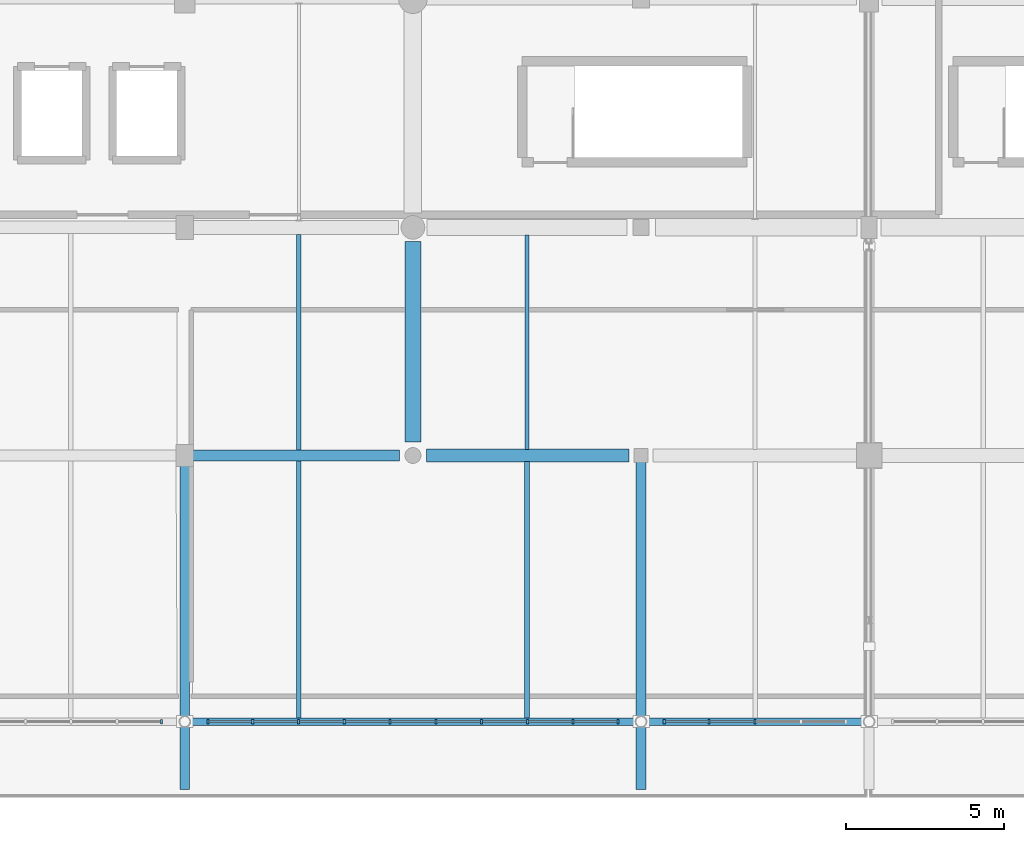
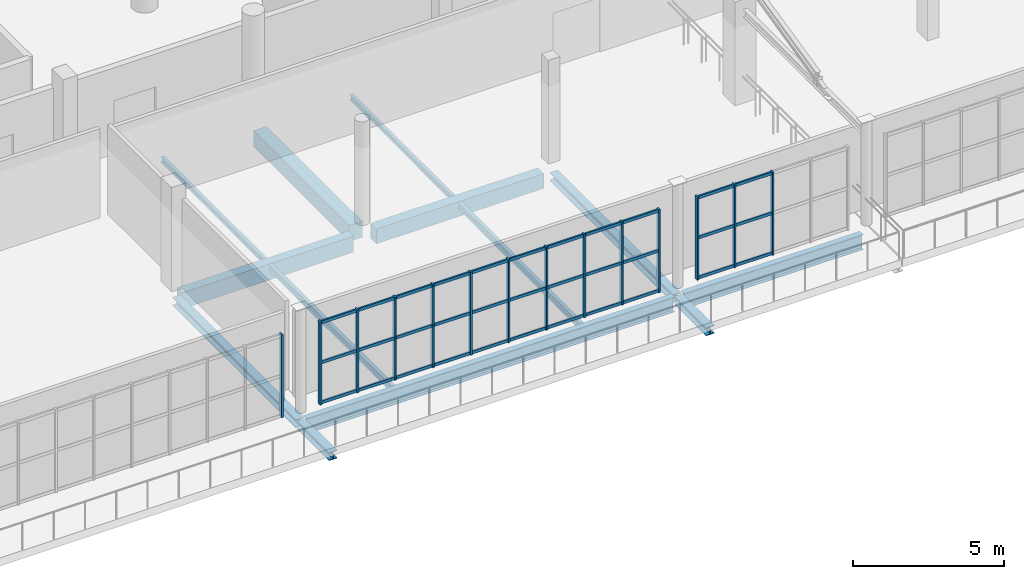
# One storey, part 7 of 41: 47 members, 13 beams, 3 elements without a shape of their own.
"""IFC4 building model written with IfcOpenShell, lengths in metres."""

import ifcopenshell
import ifcopenshell.guid

model = None  # the IFC model being written
_history = None  # IfcOwnerHistory: only IFC2X3 demands one
_inside = {}  # id of a spatial element -> (the spatial element, [elements in it])
_under = {}  # id of a project, library or spatial element -> (it, [spatial elements below it])
_declared = {}  # id of a project -> (the project, [libraries it declares])
_typed = {}  # id of a type object -> (the type object, [elements of that type])
_made_of = {}  # id of a material, layer set ... -> (it, [elements and type objects made of it])


def new_model(schema):
    """Start an empty IFC model of exactly this schema.

    Asked for "IFC4X3", IfcOpenShell would pick the latest addendum, in which some entities
    have other attributes; the version numbers below select the first issue.
    IFC2X3 requires an IfcOwnerHistory on every rooted entity: one is made here for all.
    """
    global model, _history
    if schema == "IFC4X3":
        model = ifcopenshell.file(schema_version=(4, 3, 0, 0))
    else:
        model = ifcopenshell.file(schema=schema)
    _inside.clear()
    _under.clear()
    _declared.clear()
    _typed.clear()
    _made_of.clear()
    _history = None
    if model.schema == "IFC2X3":
        org = make("IfcOrganization", Name="unknown")
        user = make(
            "IfcPersonAndOrganization",
            ThePerson=make("IfcPerson", FamilyName="unknown"),
            TheOrganization=org,
        )
        app = make(
            "IfcApplication",
            ApplicationDeveloper=org,
            Version="unknown",
            ApplicationFullName="unknown",
            ApplicationIdentifier="unknown",
        )
        _history = make(
            "IfcOwnerHistory",
            OwningUser=user,
            OwningApplication=app,
            ChangeAction="ADDED",
            CreationDate=0,
        )
    return model


def make(cls, **values):
    """One entity of the class cls with the attributes given. An attribute that is None is left unset."""
    return model.create_entity(
        cls, **{name: value for name, value in values.items() if value is not None}
    )


def rooted(cls, **values):
    """An entity with a GlobalId (a new one), such as an element, a storey or a relation."""
    return make(cls, GlobalId=ifcopenshell.guid.new(), OwnerHistory=_history, **values)


def si_unit(unit_type, name, prefix=None):
    """IfcSIUnit, for example si_unit("LENGTHUNIT", "METRE", prefix="MILLI")."""
    return make("IfcSIUnit", UnitType=unit_type, Prefix=prefix, Name=name)


def assignment(units):
    """IfcUnitAssignment: the units of a project."""
    return None if units is None else make("IfcUnitAssignment", Units=units)


def point(xyz):
    """IfcCartesianPoint."""
    return None if xyz is None else make("IfcCartesianPoint", Coordinates=xyz)


def direction(xyz):
    """IfcDirection."""
    return None if xyz is None else make("IfcDirection", DirectionRatios=xyz)


def frame(location, z_axis=None, x_axis=None):
    """IfcAxis2Placement3D, a coordinate frame: its origin and axes. An axis left out is left unset."""
    return make(
        "IfcAxis2Placement3D",
        Location=point(location),
        Axis=direction(z_axis),
        RefDirection=direction(x_axis),
    )


def frame_2d(location, x_axis=None):
    """IfcAxis2Placement2D, a coordinate frame in the plane: its origin and x axis."""
    return make(
        "IfcAxis2Placement2D", Location=point(location), RefDirection=direction(x_axis)
    )


def origin():
    """The frame at (0, 0, 0) with its axes left unset."""
    return frame((0.0, 0.0, 0.0))


def origin_2d():
    """The frame at (0, 0) in the plane with its x axis left unset."""
    return frame_2d((0.0, 0.0))


def place(relative_to, where):
    """IfcLocalPlacement: puts the frame where relative to a parent placement (None: the world)."""
    return make(
        "IfcLocalPlacement", PlacementRelTo=relative_to, RelativePlacement=where
    )


def context(
    kind, dimensions, precision=None, world=None, true_north=None, identifier=None
):
    """IfcGeometricRepresentationContext, for example the 3D "Model" context."""
    return make(
        "IfcGeometricRepresentationContext",
        ContextIdentifier=identifier,
        ContextType=kind,
        CoordinateSpaceDimension=dimensions,
        Precision=precision,
        WorldCoordinateSystem=world,
        TrueNorth=true_north,
    )


def subcontext(parent, identifier, kind, view, scale=None):
    """IfcGeometricRepresentationSubContext, for example "Body" below "Model"."""
    return make(
        "IfcGeometricRepresentationSubContext",
        ContextIdentifier=identifier,
        ContextType=kind,
        ParentContext=parent,
        TargetScale=scale,
        TargetView=view,
    )


def project(units=None, contexts=None):
    """IfcProject with its units and contexts."""
    return rooted(
        "IfcProject",
        Name="project",
        RepresentationContexts=contexts,
        UnitsInContext=assignment(units),
    )


def spatial(cls, under=None, at=None, **own):
    """A site, building, storey or space (cls), placed at a placement, below another one or the project."""
    s = rooted(cls, ObjectPlacement=at, **own)
    if under is not None:
        _under.setdefault(under.id(), (under, []))[1].append(s)
    return s


def profile(cls, at=None, kind="AREA", **sizes):
    """A parametric profile (cls). Its sizes go by their IFC names, for example OverallWidth=200.0."""
    return make(cls, ProfileType=kind, Position=at, **sizes)


def rectangle(**sizes):
    """IfcRectangleProfileDef."""
    return profile("IfcRectangleProfileDef", **sizes)


def i_section(**sizes):
    """IfcIShapeProfileDef."""
    return profile("IfcIShapeProfileDef", **sizes)


def extrude(swept, where, along, depth):
    """IfcExtrudedAreaSolid: the profile swept, set in the frame where, extruded along a direction by depth."""
    return make(
        "IfcExtrudedAreaSolid",
        SweptArea=swept,
        Position=where,
        ExtrudedDirection=direction(along),
        Depth=depth,
    )


def shape(context_of_items, identifier, shape_type, items):
    """IfcShapeRepresentation: the items that make up one representation, for example the "Body"."""
    return make(
        "IfcShapeRepresentation",
        ContextOfItems=context_of_items,
        RepresentationIdentifier=identifier,
        RepresentationType=shape_type,
        Items=items,
    )


def material(Name=None, Category=None):
    """IfcMaterial."""
    return make("IfcMaterial", Name=Name, Category=Category)


def material_profile(
    of_material, cross_section, Name=None, Category=None, Priority=None
):
    """IfcMaterialProfile: a cross section and its material."""
    return make(
        "IfcMaterialProfile",
        Name=Name,
        Material=of_material,
        Profile=cross_section,
        Priority=Priority,
        Category=Category,
    )


def profile_set(profiles, Name=None, composite=None):
    """IfcMaterialProfileSet."""
    return make(
        "IfcMaterialProfileSet",
        Name=Name,
        MaterialProfiles=profiles,
        CompositeProfile=composite,
    )


def made_of(thing, what):
    """Note that an element or type object is made of a material, layer set ...; save() writes the relation."""
    if what is not None:
        _made_of.setdefault(what.id(), (what, []))[1].append(thing)
    return thing


def type_object(cls, material=None, **own):
    """A type object (cls), such as IfcWallType, which elements share."""
    return made_of(rooted(cls, **own), material)


def element(
    cls,
    number,
    at=None,
    inside=None,
    cuts=None,
    type_object=None,
    material=None,
    context=None,
    identifier="Body",
    shape_type=None,
    held_by="IfcProductDefinitionShape",
    body=None,
    shapes=None,
    **own,
):
    """One element of the class cls, such as IfcWall. Its Tag is "e" and its number.

    at: its placement. inside: the storey or other place that contains it. cuts: it is an
    opening in that element (IfcRelVoidsElement). A single representation is given by context,
    identifier, shape_type and body (its items); several are given by shapes. held_by: the class
    of the entity that holds the representations. save() writes the other relations.
    """
    e = rooted(cls, Tag="e%d" % number, ObjectPlacement=at, **own)
    if body is not None:
        shapes = [shape(context, identifier, shape_type, body)]
    if shapes is not None:
        e.Representation = make(held_by, Representations=shapes)
    if inside is not None:
        _inside.setdefault(inside.id(), (inside, []))[1].append(e)
    if cuts is not None:
        rooted(
            "IfcRelVoidsElement", RelatingBuildingElement=cuts, RelatedOpeningElement=e
        )
    if type_object is not None:
        _typed.setdefault(type_object.id(), (type_object, []))[1].append(e)
    return made_of(e, material)


def aggregate(whole, parts):
    """IfcRelAggregates: a whole, such as a stair, and the parts it consists of."""
    return rooted("IfcRelAggregates", RelatingObject=whole, RelatedObjects=parts)


def save(model, path):
    """Write the relations noted so far, then the file.

    IfcRelAggregates (storeys below a building ...), IfcRelContainedInSpatialStructure (elements
    in a storey), IfcRelDefinesByType, IfcRelAssociatesMaterial and IfcRelDeclares: one each for
    every whole, place, type object, material and project.
    """
    for whole, parts in _under.values():
        aggregate(whole, parts)
    for where, things in _inside.values():
        rooted(
            "IfcRelContainedInSpatialStructure",
            RelatedElements=things,
            RelatingStructure=where,
        )
    for kind, things in _typed.values():
        rooted("IfcRelDefinesByType", RelatedObjects=things, RelatingType=kind)
    for what, things in _made_of.values():
        rooted("IfcRelAssociatesMaterial", RelatedObjects=things, RelatingMaterial=what)
    for by, libraries in _declared.values():
        rooted("IfcRelDeclares", RelatingContext=by, RelatedDefinitions=libraries)
    model.write(path)


model = new_model("IFC4")

# Units and contexts
model_context = context("Model", 3, precision=1e-05, world=origin(), true_north=direction((0.0, 1.0)))
body_context = subcontext(model_context, "Body", "Model", "MODEL_VIEW")
ifc_project = project(units=[si_unit("LENGTHUNIT", "METRE"), si_unit("AREAUNIT", "SQUARE_METRE"), si_unit("VOLUMEUNIT", "CUBIC_METRE"), si_unit("PLANEANGLEUNIT", "RADIAN"), si_unit("MASSUNIT", "GRAM", prefix="KILO")], contexts=[model_context])

# Site, building, storey
site_placement = place(None, origin())
site = spatial("IfcSite", under=ifc_project, at=site_placement, CompositionType="ELEMENT")
building_placement = place(site_placement, origin())
building = spatial("IfcBuilding", under=site, at=building_placement, Name="Solanera Park Tramway Depot", CompositionType="ELEMENT")
storey_placement = place(building_placement, frame((0.0, 0.0, 13.199951171875)))
storey = spatial("IfcBuildingStorey", under=building, at=storey_placement, Name="L03", CompositionType="ELEMENT", Elevation=13.199951171875)

# Curtain wall, member
ifc_material_1 = material(Name="Bronze-anodised thermally broken aluminium curtain wall", Category="aluminium")
curtain_wall_type = type_object("IfcCurtainWallType", Name="Cantilevered OCC Inclined Glazing Wall", PredefinedType="NOTDEFINED", material=ifc_material_1)
curtain_wall_1_placement = place(storey_placement, origin())
curtain_wall_1 = element("IfcCurtainWall", 1, at=curtain_wall_1_placement, inside=storey, type_object=curtain_wall_type, Name="L03 Cantilevered OCC Inclined Glazing Wall #121", PredefinedType="NOTDEFINED")
ifc_material_2 = material(Name="Bronze-anodised structural aluminium 6063-T6", Category="aluminium")
ifc_material_profile_1 = material_profile(ifc_material_2, rectangle(XDim=0.06494140625, YDim=0.14990234375, at=origin_2d()), Name="Curtain Wall Mullion 65x150")
ifc_profile_set_1 = profile_set([ifc_material_profile_1], Name="Bronze-anodised structural aluminium 6063-T6")
member_type_1 = type_object("IfcMemberType", Name="Curtain Wall Mullion 65x150", PredefinedType="MULLION", material=ifc_profile_set_1)
member_1_placement = place(storey_placement, frame((128.867431640625, 2.39990234375, 0.0), z_axis=(0.0, 0.0, 1.0), x_axis=(1.0, 0.0, 0.0)))
member_1 = element("IfcMember", 2, at=member_1_placement, type_object=member_type_1, Name="CW-L03-121 Mullion 10", PredefinedType="MULLION", context=body_context, shape_type="SweptSolid", body=[
    extrude(rectangle(XDim=0.06494140625, YDim=0.14990234375, at=origin_2d()), origin(), (0.0, 0.0, 1.0), 3.35009765625),
])
aggregate(curtain_wall_1, [member_1])

# Curtain wall, members
curtain_wall_2_placement = place(storey_placement, origin())
curtain_wall_2 = element("IfcCurtainWall", 3, at=curtain_wall_2_placement, inside=storey, type_object=curtain_wall_type, Name="L03 Cantilevered OCC Inclined Glazing Wall #122", PredefinedType="NOTDEFINED")
member_2_placement = place(storey_placement, frame((130.33251953125, 2.39990234375, 0.0), z_axis=(0.0, 0.0, 1.0), x_axis=(1.0, 0.0, 0.0)))
member_2 = element("IfcMember", 4, at=member_2_placement, type_object=member_type_1, Name="CW-L03-122 Mullion 1", PredefinedType="MULLION", context=body_context, shape_type="SweptSolid", body=[
    extrude(rectangle(XDim=0.06494140625, YDim=0.14990234375, at=origin_2d()), origin(), (0.0, 0.0, 1.0), 3.35009765625),
])
member_3_placement = place(storey_placement, frame((131.744384765625, 2.39990234375, 0.0), z_axis=(0.0, 0.0, 1.0), x_axis=(1.0, 0.0, 0.0)))
member_3 = element("IfcMember", 5, at=member_3_placement, type_object=member_type_1, Name="CW-L03-122 Mullion 2", PredefinedType="MULLION", context=body_context, shape_type="SweptSolid", body=[
    extrude(rectangle(XDim=0.06494140625, YDim=0.14990234375, at=origin_2d()), origin(), (0.0, 0.0, 1.0), 3.35009765625),
])
member_4_placement = place(storey_placement, frame((133.18896484375, 2.39990234375, 0.0), z_axis=(0.0, 0.0, 1.0), x_axis=(1.0, 0.0, 0.0)))
member_4 = element("IfcMember", 6, at=member_4_placement, type_object=member_type_1, Name="CW-L03-122 Mullion 3", PredefinedType="MULLION", context=body_context, shape_type="SweptSolid", body=[
    extrude(rectangle(XDim=0.06494140625, YDim=0.14990234375, at=origin_2d()), origin(), (0.0, 0.0, 1.0), 3.35009765625),
])
member_5_placement = place(storey_placement, frame((134.63330078125, 2.39990234375, 0.0), z_axis=(0.0, 0.0, 1.0), x_axis=(1.0, 0.0, 0.0)))
member_5 = element("IfcMember", 7, at=member_5_placement, type_object=member_type_1, Name="CW-L03-122 Mullion 4", PredefinedType="MULLION", context=body_context, shape_type="SweptSolid", body=[
    extrude(rectangle(XDim=0.06494140625, YDim=0.14990234375, at=origin_2d()), origin(), (0.0, 0.0, 1.0), 3.35009765625),
])
member_6_placement = place(storey_placement, frame((136.077880859375, 2.39990234375, 0.0), z_axis=(0.0, 0.0, 1.0), x_axis=(1.0, 0.0, 0.0)))
member_6 = element("IfcMember", 8, at=member_6_placement, type_object=member_type_1, Name="CW-L03-122 Mullion 5", PredefinedType="MULLION", context=body_context, shape_type="SweptSolid", body=[
    extrude(rectangle(XDim=0.06494140625, YDim=0.14990234375, at=origin_2d()), origin(), (0.0, 0.0, 1.0), 3.35009765625),
])
member_7_placement = place(storey_placement, frame((137.522216796875, 2.39990234375, 0.0), z_axis=(0.0, 0.0, 1.0), x_axis=(1.0, 0.0, 0.0)))
member_7 = element("IfcMember", 9, at=member_7_placement, type_object=member_type_1, Name="CW-L03-122 Mullion 6", PredefinedType="MULLION", context=body_context, shape_type="SweptSolid", body=[
    extrude(rectangle(XDim=0.06494140625, YDim=0.14990234375, at=origin_2d()), origin(), (0.0, 0.0, 1.0), 3.35009765625),
])
member_8_placement = place(storey_placement, frame((138.966796875, 2.39990234375, 0.0), z_axis=(0.0, 0.0, 1.0), x_axis=(1.0, 0.0, 0.0)))
member_8 = element("IfcMember", 10, at=member_8_placement, type_object=member_type_1, Name="CW-L03-122 Mullion 7", PredefinedType="MULLION", context=body_context, shape_type="SweptSolid", body=[
    extrude(rectangle(XDim=0.06494140625, YDim=0.14990234375, at=origin_2d()), origin(), (0.0, 0.0, 1.0), 3.35009765625),
])
member_9_placement = place(storey_placement, frame((140.4111328125, 2.39990234375, 0.0), z_axis=(0.0, 0.0, 1.0), x_axis=(1.0, 0.0, 0.0)))
member_9 = element("IfcMember", 11, at=member_9_placement, type_object=member_type_1, Name="CW-L03-122 Mullion 8", PredefinedType="MULLION", context=body_context, shape_type="SweptSolid", body=[
    extrude(rectangle(XDim=0.06494140625, YDim=0.14990234375, at=origin_2d()), origin(), (0.0, 0.0, 1.0), 3.35009765625),
])
member_10_placement = place(storey_placement, frame((141.855712890625, 2.39990234375, 0.0), z_axis=(0.0, 0.0, 1.0), x_axis=(1.0, 0.0, 0.0)))
member_10 = element("IfcMember", 12, at=member_10_placement, type_object=member_type_1, Name="CW-L03-122 Mullion 9", PredefinedType="MULLION", context=body_context, shape_type="SweptSolid", body=[
    extrude(rectangle(XDim=0.06494140625, YDim=0.14990234375, at=origin_2d()), origin(), (0.0, 0.0, 1.0), 3.35009765625),
])
member_11_placement = place(storey_placement, frame((143.267578125, 2.39990234375, 0.0), z_axis=(0.0, 0.0, 1.0), x_axis=(1.0, 0.0, 0.0)))
member_11 = element("IfcMember", 13, at=member_11_placement, type_object=member_type_1, Name="CW-L03-122 Mullion 10", PredefinedType="MULLION", context=body_context, shape_type="SweptSolid", body=[
    extrude(rectangle(XDim=0.06494140625, YDim=0.14990234375, at=origin_2d()), origin(), (0.0, 0.0, 1.0), 3.35009765625),
])

curtain_wall_3_placement = place(storey_placement, origin())
curtain_wall_3 = element("IfcCurtainWall", 14, at=curtain_wall_3_placement, inside=storey, type_object=curtain_wall_type, Name="L03 Cantilevered OCC Inclined Glazing Wall #123", PredefinedType="NOTDEFINED")
member_12_placement = place(storey_placement, frame((144.732421875, 2.39990234375, 0.0), z_axis=(0.0, 0.0, 1.0), x_axis=(1.0, 0.0, 0.0)))
member_12 = element("IfcMember", 15, at=member_12_placement, type_object=member_type_1, Name="CW-L03-123 Mullion 1", PredefinedType="MULLION", context=body_context, shape_type="SweptSolid", body=[
    extrude(rectangle(XDim=0.06494140625, YDim=0.14990234375, at=origin_2d()), origin(), (0.0, 0.0, 1.0), 3.35009765625),
])
member_13_placement = place(storey_placement, frame((146.14990234375, 2.39990234375, 0.0), z_axis=(0.0, 0.0, 1.0), x_axis=(1.0, 0.0, 0.0)))
member_13 = element("IfcMember", 16, at=member_13_placement, type_object=member_type_1, Name="CW-L03-123 Mullion 2", PredefinedType="MULLION", context=body_context, shape_type="SweptSolid", body=[
    extrude(rectangle(XDim=0.06494140625, YDim=0.14990234375, at=origin_2d()), origin(), (0.0, 0.0, 1.0), 3.35009765625),
])
member_14_placement = place(storey_placement, frame((147.60009765625, 2.39990234375, 0.0), z_axis=(0.0, 0.0, 1.0), x_axis=(1.0, 0.0, 0.0)))
member_14 = element("IfcMember", 17, at=member_14_placement, type_object=member_type_1, Name="CW-L03-123 Mullion 3", PredefinedType="MULLION", context=body_context, shape_type="SweptSolid", body=[
    extrude(rectangle(XDim=0.06494140625, YDim=0.14990234375, at=origin_2d()), origin(), (0.0, 0.0, 1.0), 3.35009765625),
])

# Member
ifc_material_3 = material(Name="Bronze-anodised structural aluminium 6063-T6", Category="aluminium")
ifc_material_profile_2 = material_profile(ifc_material_3, rectangle(XDim=0.06494140625, YDim=0.1201171875, at=origin_2d()), Name="Curtain Wall Transom 65x120")
ifc_profile_set_2 = profile_set([ifc_material_profile_2], Name="Bronze-anodised structural aluminium 6063-T6")
member_type_2 = type_object("IfcMemberType", Name="Curtain Wall Transom 65x120", PredefinedType="USERDEFINED", material=ifc_profile_set_2)
member_15_placement = place(storey_placement, frame((130.360595703125, 2.39990234375, 0.06005859375), z_axis=(1.0, 0.0, 0.0), x_axis=(0.0, 1.0, 0.0)))
member_15 = element("IfcMember", 18, at=member_15_placement, type_object=member_type_2, Name="CW-L03-122 Transom R1.C1", ObjectType="TRANSOM", PredefinedType="USERDEFINED", context=body_context, shape_type="SweptSolid", body=[
    extrude(rectangle(XDim=0.06494140625, YDim=0.1201171875, at=origin_2d()), origin(), (0.0, 0.0, 1.0), 1.355712890625),
])

member_16_placement = place(storey_placement, frame((131.7724609375, 2.39990234375, 0.06005859375), z_axis=(1.0, 0.0, 0.0), x_axis=(0.0, 1.0, 0.0)))
member_16 = element("IfcMember", 19, at=member_16_placement, type_object=member_type_2, Name="CW-L03-122 Transom R1.C2", ObjectType="TRANSOM", PredefinedType="USERDEFINED", context=body_context, shape_type="SweptSolid", body=[
    extrude(rectangle(XDim=0.06494140625, YDim=0.1201171875, at=origin_2d()), origin(), (0.0, 0.0, 1.0), 1.388427734375),
])

member_17_placement = place(storey_placement, frame((133.216796875, 2.39990234375, 0.06005859375), z_axis=(1.0, 0.0, 0.0), x_axis=(0.0, 1.0, 0.0)))
member_17 = element("IfcMember", 20, at=member_17_placement, type_object=member_type_2, Name="CW-L03-122 Transom R1.C3", ObjectType="TRANSOM", PredefinedType="USERDEFINED", context=body_context, shape_type="SweptSolid", body=[
    extrude(rectangle(XDim=0.06494140625, YDim=0.1201171875, at=origin_2d()), origin(), (0.0, 0.0, 1.0), 1.388427734375),
])

member_18_placement = place(storey_placement, frame((134.661376953125, 2.39990234375, 0.06005859375), z_axis=(1.0, 0.0, 0.0), x_axis=(0.0, 1.0, 0.0)))
member_18 = element("IfcMember", 21, at=member_18_placement, type_object=member_type_2, Name="CW-L03-122 Transom R1.C4", ObjectType="TRANSOM", PredefinedType="USERDEFINED", context=body_context, shape_type="SweptSolid", body=[
    extrude(rectangle(XDim=0.06494140625, YDim=0.1201171875, at=origin_2d()), origin(), (0.0, 0.0, 1.0), 1.388427734375),
])

member_19_placement = place(storey_placement, frame((136.105712890625, 2.39990234375, 0.06005859375), z_axis=(1.0, 0.0, 0.0), x_axis=(0.0, 1.0, 0.0)))
member_19 = element("IfcMember", 22, at=member_19_placement, type_object=member_type_2, Name="CW-L03-122 Transom R1.C5", ObjectType="TRANSOM", PredefinedType="USERDEFINED", context=body_context, shape_type="SweptSolid", body=[
    extrude(rectangle(XDim=0.06494140625, YDim=0.1201171875, at=origin_2d()), origin(), (0.0, 0.0, 1.0), 1.388427734375),
])

member_20_placement = place(storey_placement, frame((137.55029296875, 2.39990234375, 0.06005859375), z_axis=(1.0, 0.0, 0.0), x_axis=(0.0, 1.0, 0.0)))
member_20 = element("IfcMember", 23, at=member_20_placement, type_object=member_type_2, Name="CW-L03-122 Transom R1.C6", ObjectType="TRANSOM", PredefinedType="USERDEFINED", context=body_context, shape_type="SweptSolid", body=[
    extrude(rectangle(XDim=0.06494140625, YDim=0.1201171875, at=origin_2d()), origin(), (0.0, 0.0, 1.0), 1.388427734375),
])

member_21_placement = place(storey_placement, frame((138.99462890625, 2.39990234375, 0.06005859375), z_axis=(1.0, 0.0, 0.0), x_axis=(0.0, 1.0, 0.0)))
member_21 = element("IfcMember", 24, at=member_21_placement, type_object=member_type_2, Name="CW-L03-122 Transom R1.C7", ObjectType="TRANSOM", PredefinedType="USERDEFINED", context=body_context, shape_type="SweptSolid", body=[
    extrude(rectangle(XDim=0.06494140625, YDim=0.1201171875, at=origin_2d()), origin(), (0.0, 0.0, 1.0), 1.388427734375),
])

member_22_placement = place(storey_placement, frame((140.439208984375, 2.39990234375, 0.06005859375), z_axis=(1.0, 0.0, 0.0), x_axis=(0.0, 1.0, 0.0)))
member_22 = element("IfcMember", 25, at=member_22_placement, type_object=member_type_2, Name="CW-L03-122 Transom R1.C8", ObjectType="TRANSOM", PredefinedType="USERDEFINED", context=body_context, shape_type="SweptSolid", body=[
    extrude(rectangle(XDim=0.06494140625, YDim=0.1201171875, at=origin_2d()), origin(), (0.0, 0.0, 1.0), 1.388427734375),
])

member_23_placement = place(storey_placement, frame((141.883544921875, 2.39990234375, 0.06005859375), z_axis=(1.0, 0.0, 0.0), x_axis=(0.0, 1.0, 0.0)))
member_23 = element("IfcMember", 26, at=member_23_placement, type_object=member_type_2, Name="CW-L03-122 Transom R1.C9", ObjectType="TRANSOM", PredefinedType="USERDEFINED", context=body_context, shape_type="SweptSolid", body=[
    extrude(rectangle(XDim=0.06494140625, YDim=0.1201171875, at=origin_2d()), origin(), (0.0, 0.0, 1.0), 1.35595703125),
])

member_24_placement = place(storey_placement, frame((130.360595703125, 2.39990234375, 1.675048828125), z_axis=(1.0, 0.0, 0.0), x_axis=(0.0, 1.0, 0.0)))
member_24 = element("IfcMember", 27, at=member_24_placement, type_object=member_type_2, Name="CW-L03-122 Transom R2.C1", ObjectType="TRANSOM", PredefinedType="USERDEFINED", context=body_context, shape_type="SweptSolid", body=[
    extrude(rectangle(XDim=0.06494140625, YDim=0.1201171875, at=origin_2d()), origin(), (0.0, 0.0, 1.0), 1.355712890625),
])

member_25_placement = place(storey_placement, frame((131.7724609375, 2.39990234375, 1.675048828125), z_axis=(1.0, 0.0, 0.0), x_axis=(0.0, 1.0, 0.0)))
member_25 = element("IfcMember", 28, at=member_25_placement, type_object=member_type_2, Name="CW-L03-122 Transom R2.C2", ObjectType="TRANSOM", PredefinedType="USERDEFINED", context=body_context, shape_type="SweptSolid", body=[
    extrude(rectangle(XDim=0.06494140625, YDim=0.1201171875, at=origin_2d()), origin(), (0.0, 0.0, 1.0), 1.388427734375),
])

member_26_placement = place(storey_placement, frame((133.216796875, 2.39990234375, 1.675048828125), z_axis=(1.0, 0.0, 0.0), x_axis=(0.0, 1.0, 0.0)))
member_26 = element("IfcMember", 29, at=member_26_placement, type_object=member_type_2, Name="CW-L03-122 Transom R2.C3", ObjectType="TRANSOM", PredefinedType="USERDEFINED", context=body_context, shape_type="SweptSolid", body=[
    extrude(rectangle(XDim=0.06494140625, YDim=0.1201171875, at=origin_2d()), origin(), (0.0, 0.0, 1.0), 1.388427734375),
])

member_27_placement = place(storey_placement, frame((134.661376953125, 2.39990234375, 1.675048828125), z_axis=(1.0, 0.0, 0.0), x_axis=(0.0, 1.0, 0.0)))
member_27 = element("IfcMember", 30, at=member_27_placement, type_object=member_type_2, Name="CW-L03-122 Transom R2.C4", ObjectType="TRANSOM", PredefinedType="USERDEFINED", context=body_context, shape_type="SweptSolid", body=[
    extrude(rectangle(XDim=0.06494140625, YDim=0.1201171875, at=origin_2d()), origin(), (0.0, 0.0, 1.0), 1.388427734375),
])

member_28_placement = place(storey_placement, frame((136.105712890625, 2.39990234375, 1.675048828125), z_axis=(1.0, 0.0, 0.0), x_axis=(0.0, 1.0, 0.0)))
member_28 = element("IfcMember", 31, at=member_28_placement, type_object=member_type_2, Name="CW-L03-122 Transom R2.C5", ObjectType="TRANSOM", PredefinedType="USERDEFINED", context=body_context, shape_type="SweptSolid", body=[
    extrude(rectangle(XDim=0.06494140625, YDim=0.1201171875, at=origin_2d()), origin(), (0.0, 0.0, 1.0), 1.388427734375),
])

member_29_placement = place(storey_placement, frame((137.55029296875, 2.39990234375, 1.675048828125), z_axis=(1.0, 0.0, 0.0), x_axis=(0.0, 1.0, 0.0)))
member_29 = element("IfcMember", 32, at=member_29_placement, type_object=member_type_2, Name="CW-L03-122 Transom R2.C6", ObjectType="TRANSOM", PredefinedType="USERDEFINED", context=body_context, shape_type="SweptSolid", body=[
    extrude(rectangle(XDim=0.06494140625, YDim=0.1201171875, at=origin_2d()), origin(), (0.0, 0.0, 1.0), 1.388427734375),
])

member_30_placement = place(storey_placement, frame((138.99462890625, 2.39990234375, 1.675048828125), z_axis=(1.0, 0.0, 0.0), x_axis=(0.0, 1.0, 0.0)))
member_30 = element("IfcMember", 33, at=member_30_placement, type_object=member_type_2, Name="CW-L03-122 Transom R2.C7", ObjectType="TRANSOM", PredefinedType="USERDEFINED", context=body_context, shape_type="SweptSolid", body=[
    extrude(rectangle(XDim=0.06494140625, YDim=0.1201171875, at=origin_2d()), origin(), (0.0, 0.0, 1.0), 1.388427734375),
])

member_31_placement = place(storey_placement, frame((140.439208984375, 2.39990234375, 1.675048828125), z_axis=(1.0, 0.0, 0.0), x_axis=(0.0, 1.0, 0.0)))
member_31 = element("IfcMember", 34, at=member_31_placement, type_object=member_type_2, Name="CW-L03-122 Transom R2.C8", ObjectType="TRANSOM", PredefinedType="USERDEFINED", context=body_context, shape_type="SweptSolid", body=[
    extrude(rectangle(XDim=0.06494140625, YDim=0.1201171875, at=origin_2d()), origin(), (0.0, 0.0, 1.0), 1.388427734375),
])

member_32_placement = place(storey_placement, frame((141.883544921875, 2.39990234375, 1.675048828125), z_axis=(1.0, 0.0, 0.0), x_axis=(0.0, 1.0, 0.0)))
member_32 = element("IfcMember", 35, at=member_32_placement, type_object=member_type_2, Name="CW-L03-122 Transom R2.C9", ObjectType="TRANSOM", PredefinedType="USERDEFINED", context=body_context, shape_type="SweptSolid", body=[
    extrude(rectangle(XDim=0.06494140625, YDim=0.1201171875, at=origin_2d()), origin(), (0.0, 0.0, 1.0), 1.35595703125),
])

member_33_placement = place(storey_placement, frame((130.360595703125, 2.39990234375, 3.2900390625), z_axis=(1.0, 0.0, 0.0), x_axis=(0.0, 1.0, 0.0)))
member_33 = element("IfcMember", 36, at=member_33_placement, type_object=member_type_2, Name="CW-L03-122 Transom R3.C1", ObjectType="TRANSOM", PredefinedType="USERDEFINED", context=body_context, shape_type="SweptSolid", body=[
    extrude(rectangle(XDim=0.06494140625, YDim=0.1201171875, at=origin_2d()), origin(), (0.0, 0.0, 1.0), 1.355712890625),
])

member_34_placement = place(storey_placement, frame((131.7724609375, 2.39990234375, 3.2900390625), z_axis=(1.0, 0.0, 0.0), x_axis=(0.0, 1.0, 0.0)))
member_34 = element("IfcMember", 37, at=member_34_placement, type_object=member_type_2, Name="CW-L03-122 Transom R3.C2", ObjectType="TRANSOM", PredefinedType="USERDEFINED", context=body_context, shape_type="SweptSolid", body=[
    extrude(rectangle(XDim=0.06494140625, YDim=0.1201171875, at=origin_2d()), origin(), (0.0, 0.0, 1.0), 1.388427734375),
])

member_35_placement = place(storey_placement, frame((133.216796875, 2.39990234375, 3.2900390625), z_axis=(1.0, 0.0, 0.0), x_axis=(0.0, 1.0, 0.0)))
member_35 = element("IfcMember", 38, at=member_35_placement, type_object=member_type_2, Name="CW-L03-122 Transom R3.C3", ObjectType="TRANSOM", PredefinedType="USERDEFINED", context=body_context, shape_type="SweptSolid", body=[
    extrude(rectangle(XDim=0.06494140625, YDim=0.1201171875, at=origin_2d()), origin(), (0.0, 0.0, 1.0), 1.388427734375),
])

member_36_placement = place(storey_placement, frame((134.661376953125, 2.39990234375, 3.2900390625), z_axis=(1.0, 0.0, 0.0), x_axis=(0.0, 1.0, 0.0)))
member_36 = element("IfcMember", 39, at=member_36_placement, type_object=member_type_2, Name="CW-L03-122 Transom R3.C4", ObjectType="TRANSOM", PredefinedType="USERDEFINED", context=body_context, shape_type="SweptSolid", body=[
    extrude(rectangle(XDim=0.06494140625, YDim=0.1201171875, at=origin_2d()), origin(), (0.0, 0.0, 1.0), 1.388427734375),
])

member_37_placement = place(storey_placement, frame((136.105712890625, 2.39990234375, 3.2900390625), z_axis=(1.0, 0.0, 0.0), x_axis=(0.0, 1.0, 0.0)))
member_37 = element("IfcMember", 40, at=member_37_placement, type_object=member_type_2, Name="CW-L03-122 Transom R3.C5", ObjectType="TRANSOM", PredefinedType="USERDEFINED", context=body_context, shape_type="SweptSolid", body=[
    extrude(rectangle(XDim=0.06494140625, YDim=0.1201171875, at=origin_2d()), origin(), (0.0, 0.0, 1.0), 1.388427734375),
])

member_38_placement = place(storey_placement, frame((137.55029296875, 2.39990234375, 3.2900390625), z_axis=(1.0, 0.0, 0.0), x_axis=(0.0, 1.0, 0.0)))
member_38 = element("IfcMember", 41, at=member_38_placement, type_object=member_type_2, Name="CW-L03-122 Transom R3.C6", ObjectType="TRANSOM", PredefinedType="USERDEFINED", context=body_context, shape_type="SweptSolid", body=[
    extrude(rectangle(XDim=0.06494140625, YDim=0.1201171875, at=origin_2d()), origin(), (0.0, 0.0, 1.0), 1.388427734375),
])

member_39_placement = place(storey_placement, frame((138.99462890625, 2.39990234375, 3.2900390625), z_axis=(1.0, 0.0, 0.0), x_axis=(0.0, 1.0, 0.0)))
member_39 = element("IfcMember", 42, at=member_39_placement, type_object=member_type_2, Name="CW-L03-122 Transom R3.C7", ObjectType="TRANSOM", PredefinedType="USERDEFINED", context=body_context, shape_type="SweptSolid", body=[
    extrude(rectangle(XDim=0.06494140625, YDim=0.1201171875, at=origin_2d()), origin(), (0.0, 0.0, 1.0), 1.388427734375),
])

member_40_placement = place(storey_placement, frame((140.439208984375, 2.39990234375, 3.2900390625), z_axis=(1.0, 0.0, 0.0), x_axis=(0.0, 1.0, 0.0)))
member_40 = element("IfcMember", 43, at=member_40_placement, type_object=member_type_2, Name="CW-L03-122 Transom R3.C8", ObjectType="TRANSOM", PredefinedType="USERDEFINED", context=body_context, shape_type="SweptSolid", body=[
    extrude(rectangle(XDim=0.06494140625, YDim=0.1201171875, at=origin_2d()), origin(), (0.0, 0.0, 1.0), 1.388427734375),
])

member_41_placement = place(storey_placement, frame((141.883544921875, 2.39990234375, 3.2900390625), z_axis=(1.0, 0.0, 0.0), x_axis=(0.0, 1.0, 0.0)))
member_41 = element("IfcMember", 44, at=member_41_placement, type_object=member_type_2, Name="CW-L03-122 Transom R3.C9", ObjectType="TRANSOM", PredefinedType="USERDEFINED", context=body_context, shape_type="SweptSolid", body=[
    extrude(rectangle(XDim=0.06494140625, YDim=0.1201171875, at=origin_2d()), origin(), (0.0, 0.0, 1.0), 1.35595703125),
])

aggregate(curtain_wall_2, [member_2, member_3, member_4, member_5, member_6, member_7, member_8, member_9, member_10, member_11, member_15, member_16, member_17, member_18, member_19, member_20, member_21, member_22, member_23, member_24, member_25, member_26, member_27, member_28, member_29, member_30, member_31, member_32, member_33, member_34, member_35, member_36, member_37, member_38, member_39, member_40, member_41])

member_42_placement = place(storey_placement, frame((144.760498046875, 2.39990234375, 0.06005859375), z_axis=(1.0, 0.0, 0.0), x_axis=(0.0, 1.0, 0.0)))
member_42 = element("IfcMember", 45, at=member_42_placement, type_object=member_type_2, Name="CW-L03-123 Transom R1.C1", ObjectType="TRANSOM", PredefinedType="USERDEFINED", context=body_context, shape_type="SweptSolid", body=[
    extrude(rectangle(XDim=0.06494140625, YDim=0.1201171875, at=origin_2d()), origin(), (0.0, 0.0, 1.0), 1.361572265625),
])

member_43_placement = place(storey_placement, frame((146.177978515625, 2.39990234375, 0.06005859375), z_axis=(1.0, 0.0, 0.0), x_axis=(0.0, 1.0, 0.0)))
member_43 = element("IfcMember", 46, at=member_43_placement, type_object=member_type_2, Name="CW-L03-123 Transom R1.C2", ObjectType="TRANSOM", PredefinedType="USERDEFINED", context=body_context, shape_type="SweptSolid", body=[
    extrude(rectangle(XDim=0.06494140625, YDim=0.1201171875, at=origin_2d()), origin(), (0.0, 0.0, 1.0), 1.39404296875),
])

member_44_placement = place(storey_placement, frame((144.760498046875, 2.39990234375, 1.675048828125), z_axis=(1.0, 0.0, 0.0), x_axis=(0.0, 1.0, 0.0)))
member_44 = element("IfcMember", 47, at=member_44_placement, type_object=member_type_2, Name="CW-L03-123 Transom R2.C1", ObjectType="TRANSOM", PredefinedType="USERDEFINED", context=body_context, shape_type="SweptSolid", body=[
    extrude(rectangle(XDim=0.06494140625, YDim=0.1201171875, at=origin_2d()), origin(), (0.0, 0.0, 1.0), 1.361572265625),
])

member_45_placement = place(storey_placement, frame((146.177978515625, 2.39990234375, 1.675048828125), z_axis=(1.0, 0.0, 0.0), x_axis=(0.0, 1.0, 0.0)))
member_45 = element("IfcMember", 48, at=member_45_placement, type_object=member_type_2, Name="CW-L03-123 Transom R2.C2", ObjectType="TRANSOM", PredefinedType="USERDEFINED", context=body_context, shape_type="SweptSolid", body=[
    extrude(rectangle(XDim=0.06494140625, YDim=0.1201171875, at=origin_2d()), origin(), (0.0, 0.0, 1.0), 1.39404296875),
])

member_46_placement = place(storey_placement, frame((144.760498046875, 2.39990234375, 3.2900390625), z_axis=(1.0, 0.0, 0.0), x_axis=(0.0, 1.0, 0.0)))
member_46 = element("IfcMember", 49, at=member_46_placement, type_object=member_type_2, Name="CW-L03-123 Transom R3.C1", ObjectType="TRANSOM", PredefinedType="USERDEFINED", context=body_context, shape_type="SweptSolid", body=[
    extrude(rectangle(XDim=0.06494140625, YDim=0.1201171875, at=origin_2d()), origin(), (0.0, 0.0, 1.0), 1.361572265625),
])

member_47_placement = place(storey_placement, frame((146.177978515625, 2.39990234375, 3.2900390625), z_axis=(1.0, 0.0, 0.0), x_axis=(0.0, 1.0, 0.0)))
member_47 = element("IfcMember", 50, at=member_47_placement, type_object=member_type_2, Name="CW-L03-123 Transom R3.C2", ObjectType="TRANSOM", PredefinedType="USERDEFINED", context=body_context, shape_type="SweptSolid", body=[
    extrude(rectangle(XDim=0.06494140625, YDim=0.1201171875, at=origin_2d()), origin(), (0.0, 0.0, 1.0), 1.39404296875),
])

aggregate(curtain_wall_3, [member_12, member_13, member_14, member_42, member_43, member_44, member_45, member_46, member_47])

# Beams
ifc_material_4 = material(Name="Concrete N40 (C40/50)", Category="concrete")
ifc_material_profile_3 = material_profile(ifc_material_4, rectangle(XDim=0.35009765625, YDim=0.64990234375, at=origin_2d()), Name="RCB 350x650")
ifc_profile_set_3 = profile_set([ifc_material_profile_3], Name="Concrete N40 (C40/50)")
beam_type_1 = type_object("IfcBeamType", Name="RC Floor Beam RCB 350x650", PredefinedType="BEAM", material=ifc_profile_set_3)
beam_1_placement = place(storey_placement, frame((129.824951171875, 10.800048828125, -0.654052734375), z_axis=(1.0, 0.0, 0.0), x_axis=(0.0, 1.0, 0.0)))
element("IfcBeam", 51, at=beam_1_placement, inside=storey, type_object=beam_type_1, Name="L03 Primary X-Girder RCB 350x650 #0205", PredefinedType="BEAM", context=body_context, shape_type="SweptSolid", body=[
    extrude(rectangle(XDim=0.35009765625, YDim=0.64990234375, at=origin_2d()), origin(), (0.0, 0.0, 1.0), 6.550048828125),
])
ifc_material_5 = material(Name="Concrete N40 (C40/50)", Category="concrete")
ifc_material_profile_4 = material_profile(ifc_material_5, rectangle(XDim=0.39990234375, YDim=0.60009765625, at=origin_2d()), Name="RCB 400x600")
ifc_profile_set_4 = profile_set([ifc_material_profile_4], Name="Concrete N40 (C40/50)")
beam_type_2 = type_object("IfcBeamType", Name="RC Floor Beam RCB 400x600", PredefinedType="BEAM", material=ifc_profile_set_4)
beam_2_placement = place(storey_placement, frame((137.22509765625, 10.800048828125, -0.62890625), z_axis=(1.0, 0.0, 0.0), x_axis=(0.0, 1.0, 0.0)))
element("IfcBeam", 52, at=beam_2_placement, inside=storey, type_object=beam_type_2, Name="L03 Primary X-Girder RCB 400x600 #0206", PredefinedType="BEAM", context=body_context, shape_type="SweptSolid", body=[
    extrude(rectangle(XDim=0.39990234375, YDim=0.60009765625, at=origin_2d()), origin(), (0.0, 0.0, 1.0), 6.39990234375),
])
ifc_material_6 = material(Name="Concrete N40 (C40/50)", Category="concrete")
ifc_material_profile_5 = material_profile(ifc_material_6, rectangle(XDim=0.5, YDim=0.64990234375, at=origin_2d()), Name="RCB 500x650")
ifc_profile_set_5 = profile_set([ifc_material_profile_5], Name="Concrete N40 (C40/50)")
beam_type_3 = type_object("IfcBeamType", Name="RC Floor Beam RCB 500x650", PredefinedType="BEAM", material=ifc_profile_set_5)
beam_3_placement = place(storey_placement, frame((136.800048828125, 11.22509765625, -0.654052734375), z_axis=(0.0, 1.0, 0.0), x_axis=(-1.0, 0.0, 0.0)))
element("IfcBeam", 53, at=beam_3_placement, inside=storey, type_object=beam_type_3, Name="L03 Primary Y-Girder RCB 500x650 #0240", PredefinedType="BEAM", context=body_context, shape_type="SweptSolid", body=[
    extrude(rectangle(XDim=0.5, YDim=0.64990234375, at=origin_2d()), origin(), (0.0, 0.0, 1.0), 6.324951171875),
])
ifc_material_7 = material(Name="Steel AS/NZS 3679.1 Grade 350", Category="steel")
ifc_material_profile_6 = material_profile(ifc_material_7, i_section(OverallWidth=0.310546875, OverallDepth=0.3271484375, WebThickness=0.015625, FlangeThickness=0.02490234375, at=origin_2d()), Name="310UC158")
ifc_profile_set_6 = profile_set([ifc_material_profile_6], Name="Steel AS/NZS 3679.1 Grade 350")
beam_type_4 = type_object("IfcBeamType", Name="Steel Beam 310UC158", PredefinedType="BEAM", material=ifc_profile_set_6)
beam_4_placement = place(storey_placement, frame((129.60009765625, 0.25, -0.52001953125), z_axis=(0.0, 1.0, 0.0), x_axis=(-1.0, 0.0, 0.0)))
element("IfcBeam", 54, at=beam_4_placement, inside=storey, type_object=beam_type_4, Name="L03 Transfer Truss Nose Cantilever 310UC158 #0313", PredefinedType="BEAM", context=body_context, shape_type="SweptSolid", body=[
    extrude(i_section(OverallWidth=0.310546875, OverallDepth=0.3271484375, WebThickness=0.015625, FlangeThickness=0.02490234375, at=origin_2d()), origin(), (0.0, 0.0, 1.0), 2.110107421875),
])
beam_5_placement = place(storey_placement, frame((129.60009765625, 2.43994140625, -0.52001953125), z_axis=(0.0, 1.0, 0.0), x_axis=(-1.0, 0.0, 0.0)))
element("IfcBeam", 55, at=beam_5_placement, inside=storey, type_object=beam_type_4, Name="L03 Transfer Truss Overhang Chord 310UC158 #0314", PredefinedType="BEAM", context=body_context, shape_type="SweptSolid", body=[
    extrude(i_section(OverallWidth=0.310546875, OverallDepth=0.3271484375, WebThickness=0.015625, FlangeThickness=0.02490234375, at=origin_2d()), origin(), (0.0, 0.0, 1.0), 8.16015625),
])
beam_6_placement = place(storey_placement, frame((144.0, 0.25, -0.52001953125), z_axis=(0.0, 1.0, 0.0), x_axis=(-1.0, 0.0, 0.0)))
element("IfcBeam", 56, at=beam_6_placement, inside=storey, type_object=beam_type_4, Name="L03 Transfer Truss Nose Cantilever 310UC158 #0319", PredefinedType="BEAM", context=body_context, shape_type="SweptSolid", body=[
    extrude(i_section(OverallWidth=0.310546875, OverallDepth=0.3271484375, WebThickness=0.015625, FlangeThickness=0.02490234375, at=origin_2d()), origin(), (0.0, 0.0, 1.0), 2.110107421875),
])
beam_7_placement = place(storey_placement, frame((144.0, 2.43994140625, -0.52001953125), z_axis=(0.0, 1.0, 0.0), x_axis=(-1.0, 0.0, 0.0)))
element("IfcBeam", 57, at=beam_7_placement, inside=storey, type_object=beam_type_4, Name="L03 Transfer Truss Overhang Chord 310UC158 #0320", PredefinedType="BEAM", context=body_context, shape_type="SweptSolid", body=[
    extrude(i_section(OverallWidth=0.310546875, OverallDepth=0.3271484375, WebThickness=0.015625, FlangeThickness=0.02490234375, at=origin_2d()), origin(), (0.0, 0.0, 1.0), 8.16015625),
])
ifc_material_8 = material(Name="Steel AS/NZS 3679.1 Grade 350", Category="steel")
ifc_material_profile_7 = material_profile(ifc_material_8, i_section(OverallWidth=0.22900390625, OverallDepth=0.611572265625, WebThickness=0.011962890625, FlangeThickness=0.01953125, at=origin_2d()), Name="610UB125")
ifc_profile_set_7 = profile_set([ifc_material_profile_7], Name="Steel AS/NZS 3679.1 Grade 350")
beam_type_5 = type_object("IfcBeamType", Name="Steel Beam 610UB125", PredefinedType="BEAM", material=ifc_profile_set_7)
beam_8_placement = place(storey_placement, frame((129.780029296875, 2.39990234375, -0.635986328125), z_axis=(1.0, 0.0, 0.0), x_axis=(0.0, 1.0, 0.0)))
element("IfcBeam", 58, at=beam_8_placement, inside=storey, type_object=beam_type_5, Name="L03 Head-Block Upper Tie Girder 610UB125 #0358", PredefinedType="BEAM", context=body_context, shape_type="SweptSolid", body=[
    extrude(i_section(OverallWidth=0.22900390625, OverallDepth=0.611572265625, WebThickness=0.011962890625, FlangeThickness=0.01953125, at=origin_2d()), origin(), (0.0, 0.0, 1.0), 14.0400390625),
])
beam_9_placement = place(storey_placement, frame((144.179931640625, 2.39990234375, -0.635986328125), z_axis=(1.0, 0.0, 0.0), x_axis=(0.0, 1.0, 0.0)))
element("IfcBeam", 59, at=beam_9_placement, inside=storey, type_object=beam_type_5, Name="L03 Head-Block Upper Tie Girder 610UB125 #0360", PredefinedType="BEAM", context=body_context, shape_type="SweptSolid", body=[
    extrude(i_section(OverallWidth=0.22900390625, OverallDepth=0.611572265625, WebThickness=0.011962890625, FlangeThickness=0.01953125, at=origin_2d()), origin(), (0.0, 0.0, 1.0), 6.840087890625),
])
ifc_material_9 = material(Name="Steel AS/NZS 3679.1 Grade 350", Category="steel")
ifc_material_profile_8 = material_profile(ifc_material_9, i_section(OverallWidth=0.13330078125, OverallDepth=0.203125, WebThickness=0.005859375, FlangeThickness=0.0078125, at=origin_2d()), Name="200UB25.4")
ifc_profile_set_8 = profile_set([ifc_material_profile_8], Name="Steel AS/NZS 3679.1 Grade 350")
beam_type_6 = type_object("IfcBeamType", Name="Steel Joist Purlin 200UB25.4", PredefinedType="JOIST", material=ifc_profile_set_8)
beam_10_placement = place(storey_placement, frame((133.199951171875, 10.967041015625, -0.4306640625), z_axis=(0.0, 1.0, 0.0), x_axis=(-1.0, 0.0, 0.0)))
element("IfcBeam", 60, at=beam_10_placement, inside=storey, type_object=beam_type_6, Name="L03 Secondary Floor Joist 200UB25.4 #0264", PredefinedType="JOIST", context=body_context, shape_type="SweptSolid", body=[
    extrude(i_section(OverallWidth=0.13330078125, OverallDepth=0.203125, WebThickness=0.005859375, FlangeThickness=0.0078125, at=origin_2d()), origin(), (0.0, 0.0, 1.0), 6.81591796875),
])
beam_11_placement = place(storey_placement, frame((140.39990234375, 10.991943359375, -0.4306640625), z_axis=(0.0, 1.0, 0.0), x_axis=(-1.0, 0.0, 0.0)))
element("IfcBeam", 61, at=beam_11_placement, inside=storey, type_object=beam_type_6, Name="L03 Secondary Floor Joist 200UB25.4 #0265", PredefinedType="JOIST", context=body_context, shape_type="SweptSolid", body=[
    extrude(i_section(OverallWidth=0.13330078125, OverallDepth=0.203125, WebThickness=0.005859375, FlangeThickness=0.0078125, at=origin_2d()), origin(), (0.0, 0.0, 1.0), 6.76611328125),
])
ifc_material_10 = material(Name="Steel AS/NZS 3679.1 Grade 350", Category="steel")
ifc_material_profile_9 = material_profile(ifc_material_10, i_section(OverallWidth=0.14599609375, OverallDepth=0.251708984375, WebThickness=0.006103515625, FlangeThickness=0.008544921875, at=origin_2d()), Name="250UB31.4")
ifc_profile_set_9 = profile_set([ifc_material_profile_9], Name="Steel AS/NZS 3679.1 Grade 350")
beam_type_7 = type_object("IfcBeamType", Name="Steel Joist Purlin 250UB31.4", PredefinedType="JOIST", material=ifc_profile_set_9)
beam_12_placement = place(storey_placement, frame((133.199951171875, 2.506591796875, -0.454833984375), z_axis=(0.0, 1.0, 0.0), x_axis=(-1.0, 0.0, 0.0)))
element("IfcBeam", 62, at=beam_12_placement, inside=storey, type_object=beam_type_7, Name="L03 Secondary Floor Joist 250UB31.4 #0253", PredefinedType="JOIST", context=body_context, shape_type="SweptSolid", body=[
    extrude(i_section(OverallWidth=0.14599609375, OverallDepth=0.251708984375, WebThickness=0.006103515625, FlangeThickness=0.008544921875, at=origin_2d()), origin(), (0.0, 0.0, 1.0), 8.12646484375),
])
beam_13_placement = place(storey_placement, frame((140.39990234375, 2.506591796875, -0.454833984375), z_axis=(0.0, 1.0, 0.0), x_axis=(-1.0, 0.0, 0.0)))
element("IfcBeam", 63, at=beam_13_placement, inside=storey, type_object=beam_type_7, Name="L03 Secondary Floor Joist 250UB31.4 #0254", PredefinedType="JOIST", context=body_context, shape_type="SweptSolid", body=[
    extrude(i_section(OverallWidth=0.14599609375, OverallDepth=0.251708984375, WebThickness=0.006103515625, FlangeThickness=0.008544921875, at=origin_2d()), origin(), (0.0, 0.0, 1.0), 8.101318359375),
])

save(model, "model.ifc")
